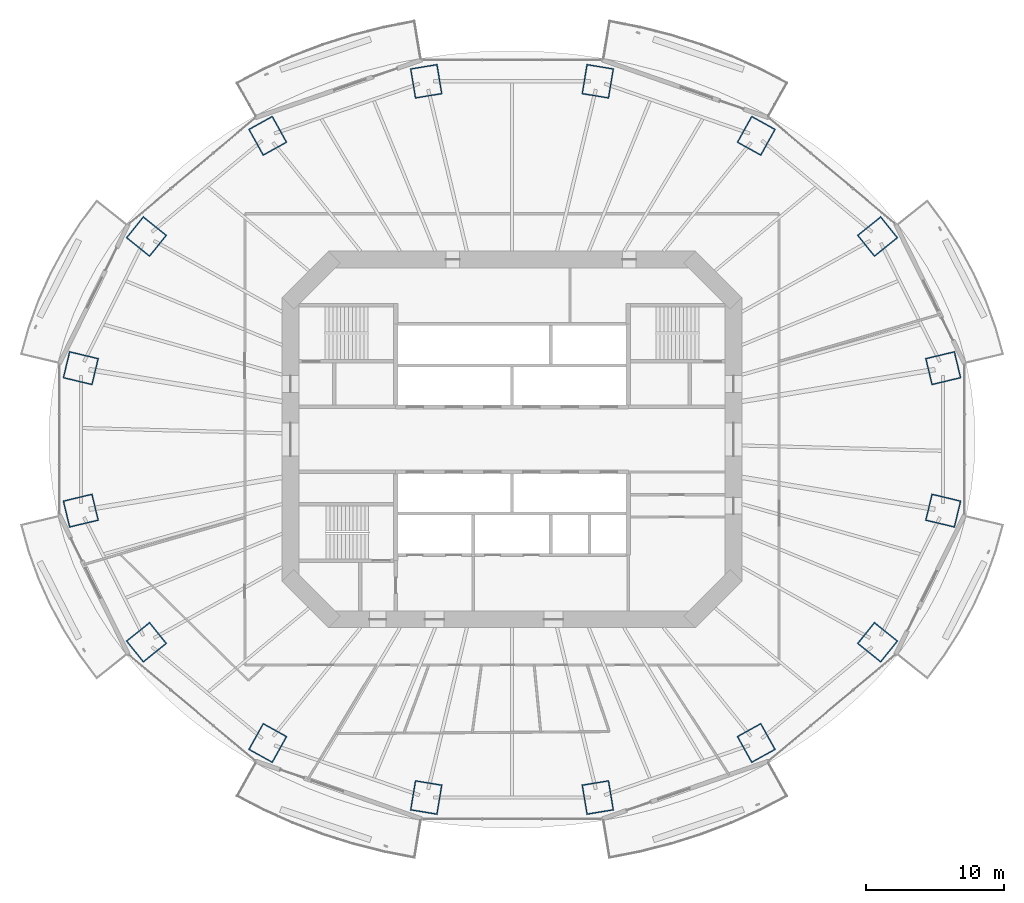
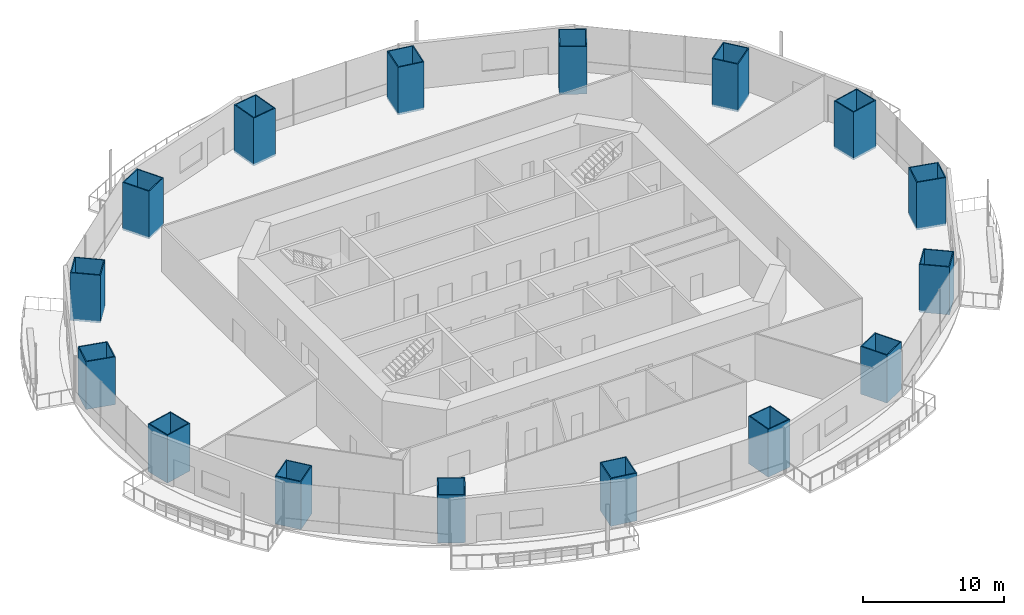
# One storey, part 1 of 20: 16 columns.
"""IFC4 building model written with IfcOpenShell, lengths in metres."""

from ifc_helpers import new_model, si_unit, direction, frame, origin, origin_2d, place, context, subcontext, project, spatial, rectangle, hollow_rectangle, extrude, material, material_profile, profile_set, type_object, element, save


model = new_model("IFC4")

# Units and contexts
model_context = context("Model", 3, precision=1e-05, world=origin(), true_north=direction((0.0, 1.0)))
body_context = subcontext(model_context, "Body", "Model", "MODEL_VIEW")
ifc_project = project(units=[si_unit("LENGTHUNIT", "METRE"), si_unit("AREAUNIT", "SQUARE_METRE"), si_unit("VOLUMEUNIT", "CUBIC_METRE"), si_unit("PLANEANGLEUNIT", "RADIAN"), si_unit("MASSUNIT", "GRAM", prefix="KILO")], contexts=[model_context])

# Site, building, storey
site_placement = place(None, origin())
site = spatial("IfcSite", under=ifc_project, at=site_placement, CompositionType="ELEMENT")
building_placement = place(site_placement, origin())
building = spatial("IfcBuilding", under=site, at=building_placement, Name="Marenthal Gate Tower", CompositionType="ELEMENT")
storey_placement = place(building_placement, frame((0.0, 0.0, 132.60009765625)))
storey = spatial("IfcBuildingStorey", under=building, at=storey_placement, Name="L28", CompositionType="ELEMENT", Elevation=132.60009765625)

# Columns
ifc_material_1 = material(Name="Steel S460", Category="steel")
ifc_material_profile_1 = material_profile(ifc_material_1, hollow_rectangle(XDim=2.0, YDim=2.199951171875, WallThickness=0.080078125, at=origin_2d()), Name="CFT BOX 2200X2000X80")
ifc_material_2 = material(Name="Concrete 70 MPa", Category="concrete")
ifc_material_profile_2 = material_profile(ifc_material_2, rectangle(XDim=1.840087890625, YDim=2.0400390625, at=origin_2d()), Name="CFT BOX 2200X2000X80 INFILL")
ifc_profile_set = profile_set([ifc_material_profile_1, ifc_material_profile_2], Name="Steel S460 shell, Concrete 70 MPa infill")
column_type = type_object("IfcColumnType", Name="CFT BOX 2200X2000X80", PredefinedType="COLUMN", material=ifc_profile_set)
for number, where, z_axis, x_axis, name in (
    (1, (31.151611328125, 5.14599609375, -0.18017578125), (0.0, 0.0, 1.0), (0.23293280554, -0.972492831903, 0.0), "COL-L28-01"),
    (2, (26.4091796875, 14.654296875, -0.18017578125), (0.0, 0.0, 1.0), (0.626873093811, -0.779121379668, 0.0), "COL-L28-02"),
    (3, (17.64599609375, 21.931640625, -0.18017578125), (0.0, 0.0, 1.0), (0.874403004827, -0.485200355677, 0.0), "COL-L28-03"),
    (4, (6.196533203125, 25.8701171875, -0.18017578125), (0.0, 0.0, 1.0), (0.986629397471, -0.162979851655, 0.0), "COL-L28-04"),
    (5, (-6.196533203125, 25.8701171875, -0.18017578125), (0.0, 0.0, 1.0), (0.986629397471, 0.162979851655, 0.0), "COL-L28-05"),
    (6, (-17.64599609375, 21.931640625, -0.18017578125), (0.0, 0.0, 1.0), (0.874403004827, 0.485200355677, 0.0), "COL-L28-06"),
    (7, (-26.4091796875, 14.654296875, -0.18017578125), (0.0, 0.0, 1.0), (0.626873093811, 0.779121379668, 0.0), "COL-L28-07"),
    (8, (-31.151611328125, 5.14599609375, -0.18017578125), (0.0, 0.0, 1.0), (0.23293280554, 0.972492831903, 0.0), "COL-L28-08"),
    (9, (-31.151611328125, -5.14599609375, -0.18017578125), (0.0, 0.0, 1.0), (-0.23293280554, 0.972492831903, 0.0), "COL-L28-09"),
    (10, (-26.4091796875, -14.654296875, -0.18017578125), (0.0, 0.0, 1.0), (-0.626873093811, 0.779121379668, 0.0), "COL-L28-10"),
    (11, (-17.64599609375, -21.931640625, -0.18017578125), (0.0, 0.0, 1.0), (-0.874403004827, 0.485200355677, 0.0), "COL-L28-11"),
    (12, (-6.196533203125, -25.8701171875, -0.18017578125), (0.0, 0.0, 1.0), (-0.986629397471, 0.162979851655, 0.0), "COL-L28-12"),
    (13, (6.196533203125, -25.8701171875, -0.18017578125), (0.0, 0.0, 1.0), (-0.986629397471, -0.162979851655, 0.0), "COL-L28-13"),
    (14, (17.64599609375, -21.931640625, -0.18017578125), (0.0, 0.0, 1.0), (-0.874403004827, -0.485200355677, 0.0), "COL-L28-14"),
    (15, (26.4091796875, -14.654296875, -0.18017578125), (0.0, 0.0, 1.0), (-0.626873093811, -0.779121379668, 0.0), "COL-L28-15"),
    (16, (31.151611328125, -5.14599609375, -0.18017578125), (0.0, 0.0, 1.0), (-0.23293280554, -0.972492831903, 0.0), "COL-L28-16"),
):
    element("IfcColumn", number, at=place(storey_placement, frame(where, z_axis=z_axis, x_axis=x_axis)), inside=storey, type_object=column_type, Name=name, PredefinedType="COLUMN", context=body_context, shape_type="SweptSolid", body=[
        extrude(hollow_rectangle(XDim=2.0, YDim=2.199951171875, WallThickness=0.080078125, at=origin_2d()), origin(), (0.0, 0.0, 1.0), 4.150146484375),
    ])

save(model, "model.ifc")
